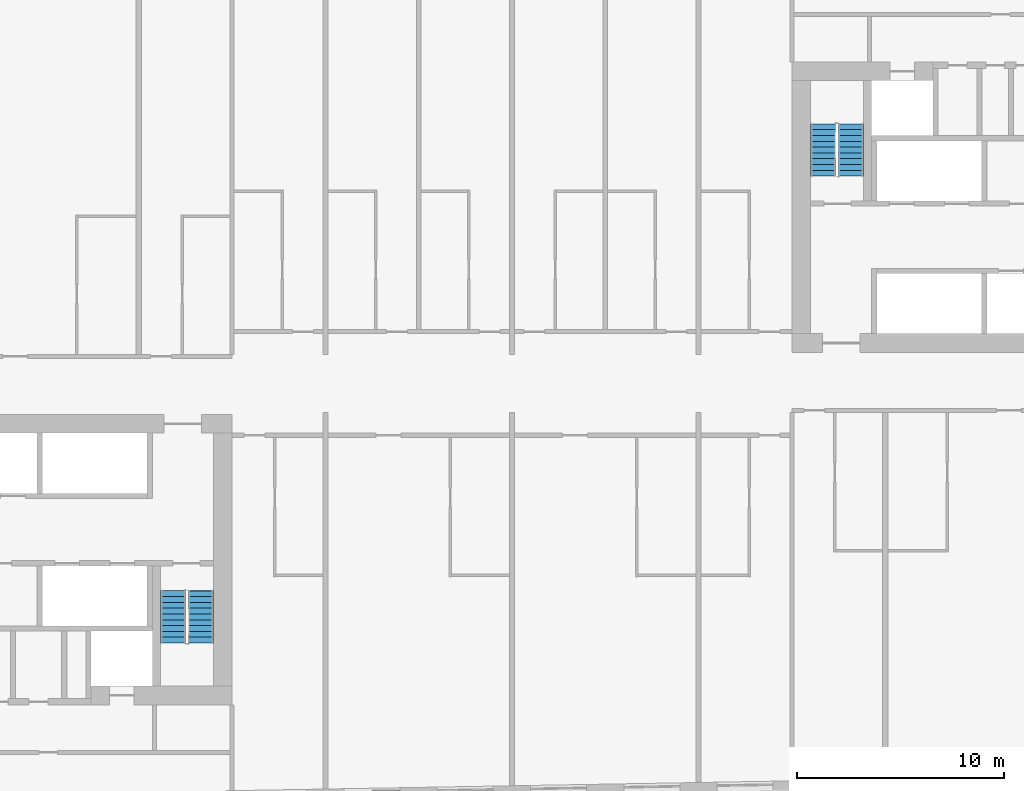
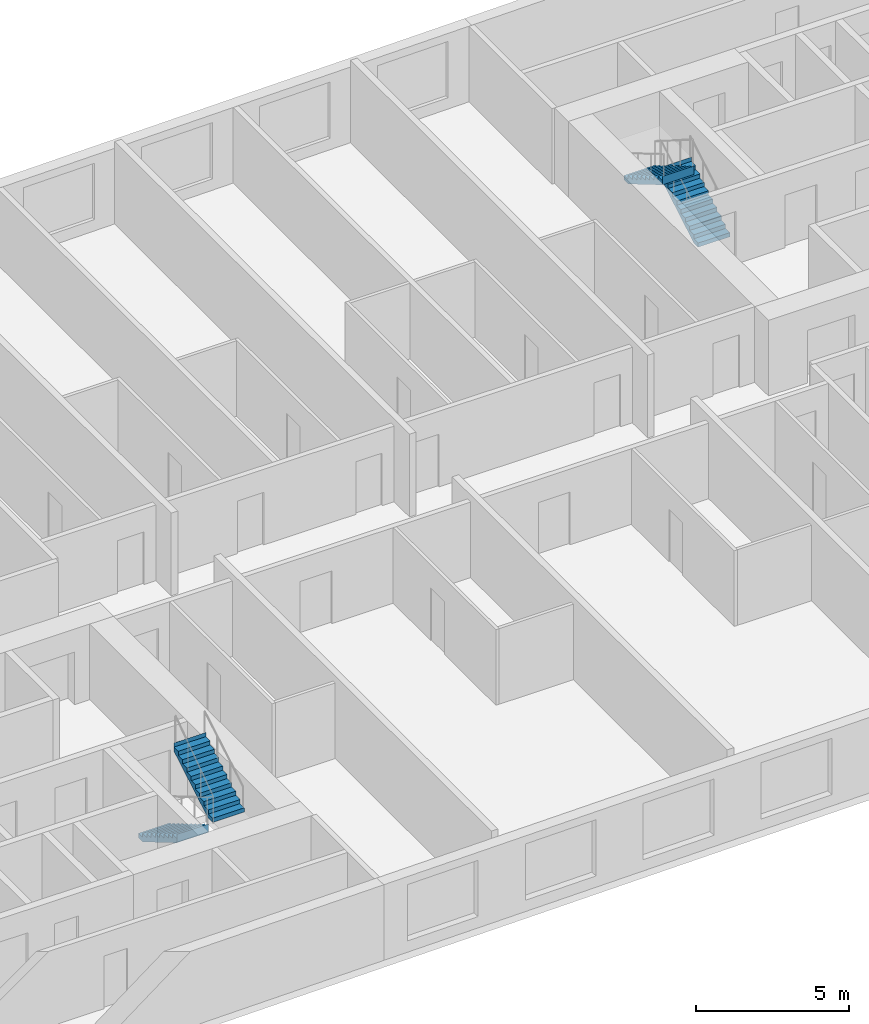
# One storey, part 9 of 11: 4 stair flights, 2 elements without a shape of their own.
"""IFC4 building model written with IfcOpenShell, lengths in metres."""

from ifc_helpers import new_model, si_unit, direction, frame, origin, place, context, subcontext, project, spatial, faceted_brep, material, type_object, element, aggregate, save


model = new_model("IFC4")

# Units and contexts
model_context = context("Model", 3, precision=1e-05, world=origin(), true_north=direction((0.0, 1.0)))
body_context = subcontext(model_context, "Body", "Model", "MODEL_VIEW")
ifc_project = project(units=[si_unit("LENGTHUNIT", "METRE"), si_unit("AREAUNIT", "SQUARE_METRE"), si_unit("VOLUMEUNIT", "CUBIC_METRE"), si_unit("PLANEANGLEUNIT", "RADIAN"), si_unit("MASSUNIT", "GRAM", prefix="KILO")], contexts=[model_context])

# Site, building, storey
site_placement = place(None, origin())
site = spatial("IfcSite", under=ifc_project, at=site_placement, CompositionType="ELEMENT")
building_placement = place(site_placement, origin())
building = spatial("IfcBuilding", under=site, at=building_placement, Name="Kajstack Hotel Tower", CompositionType="ELEMENT")
storey_placement = place(building_placement, frame((0.0, 0.0, 224.300048828125)))
storey = spatial("IfcBuildingStorey", under=building, at=storey_placement, Name="L54", CompositionType="ELEMENT", Elevation=224.300048828125)

# Stair, stair flights
ifc_material = material(Name="Concrete C40/50", Category="concrete")
stair_type = type_object("IfcStairType", Name="Exit stair 1200", PredefinedType="HALF_TURN_STAIR", material=ifc_material)
stair_1_placement = place(storey_placement, origin())
stair_1 = element("IfcStair", 1, at=stair_1_placement, inside=storey, type_object=stair_type, Name="L54 stair W2", PredefinedType="HALF_TURN_STAIR")
stair_flight_type = type_object("IfcStairFlightType", Name="Exit stair flight 1200", PredefinedType="STRAIGHT", material=ifc_material)
stair_flight_1_placement = place(storey_placement, frame((-16.35009765625, -10.0, 0.0), z_axis=(0.0, 0.0, 1.0), x_axis=(0.0, -1.0, 0.0)))
stair_flight_1 = element("IfcStairFlight", 2, at=stair_flight_1_placement, type_object=stair_flight_type, Name="W2 flight 1", NumberOfRisers=10, NumberOfTreads=9, PredefinedType="STRAIGHT", RiserHeight=0.165, TreadLength=0.28, context=body_context, shape_type="Brep", body=[
    faceted_brep([(0.295654296875, -0.60009765625, 0.0), (2.5205078125, -0.60009765625, 1.31103515625), (2.5205078125, -0.60009765625, 1.64990234375), (2.52001953125, -0.60009765625, 1.64990234375), (2.52001953125, -0.60009765625, 1.485107421875), (2.239990234375, -0.60009765625, 1.485107421875), (2.239990234375, -0.60009765625, 1.320068359375), (1.9599609375, -0.60009765625, 1.320068359375), (1.9599609375, -0.60009765625, 1.155029296875), (1.679931640625, -0.60009765625, 1.155029296875), (1.679931640625, -0.60009765625, 0.989990234375), (1.39990234375, -0.60009765625, 0.989990234375), (1.39990234375, -0.60009765625, 0.824951171875), (1.1201171875, -0.60009765625, 0.824951171875), (1.1201171875, -0.60009765625, 0.659912109375), (0.840087890625, -0.60009765625, 0.659912109375), (0.840087890625, -0.60009765625, 0.4951171875), (0.56005859375, -0.60009765625, 0.4951171875), (0.56005859375, -0.60009765625, 0.330078125), (0.280029296875, -0.60009765625, 0.330078125), (0.280029296875, -0.60009765625, 0.1650390625), (-0.00048828125, -0.60009765625, 0.1650390625), (-0.00048828125, -0.60009765625, 0.0), (-0.00048828125, 0.60009765625, 0.0), (-0.00048828125, 0.60009765625, 0.1650390625), (0.280029296875, 0.60009765625, 0.1650390625), (0.280029296875, 0.60009765625, 0.330078125), (0.56005859375, 0.60009765625, 0.330078125), (0.56005859375, 0.60009765625, 0.4951171875), (0.840087890625, 0.60009765625, 0.4951171875), (0.840087890625, 0.60009765625, 0.659912109375), (1.1201171875, 0.60009765625, 0.659912109375), (1.1201171875, 0.60009765625, 0.824951171875), (1.39990234375, 0.60009765625, 0.824951171875), (1.39990234375, 0.60009765625, 0.989990234375), (1.679931640625, 0.60009765625, 0.989990234375), (1.679931640625, 0.60009765625, 1.155029296875), (1.9599609375, 0.60009765625, 1.155029296875), (1.9599609375, 0.60009765625, 1.320068359375), (2.239990234375, 0.60009765625, 1.320068359375), (2.239990234375, 0.60009765625, 1.485107421875), (2.52001953125, 0.60009765625, 1.485107421875), (2.52001953125, 0.60009765625, 1.64990234375), (2.5205078125, 0.60009765625, 1.64990234375), (2.5205078125, 0.60009765625, 1.31103515625), (0.295654296875, 0.60009765625, 0.0), (-0.00048828125, -0.300048828125, 0.1650390625), (-0.00048828125, 0.0, 0.1650390625), (-0.00048828125, 0.300048828125, 0.1650390625), (-0.00048828125, 0.300048828125, 0.0), (-0.00048828125, 0.0, 0.0), (-0.00048828125, -0.300048828125, 0.0), (0.280029296875, -0.300048828125, 0.1650390625), (0.280029296875, 0.0, 0.1650390625), (0.280029296875, 0.300048828125, 0.1650390625), (0.280029296875, -0.300048828125, 0.330078125), (0.280029296875, 0.0, 0.330078125), (0.280029296875, 0.300048828125, 0.330078125), (0.56005859375, -0.300048828125, 0.330078125), (0.56005859375, 0.0, 0.330078125), (0.56005859375, 0.300048828125, 0.330078125), (0.56005859375, -0.300048828125, 0.4951171875), (0.56005859375, 0.0, 0.4951171875), (0.56005859375, 0.300048828125, 0.4951171875), (0.840087890625, -0.300048828125, 0.4951171875), (0.840087890625, 0.0, 0.4951171875), (0.840087890625, 0.300048828125, 0.4951171875), (0.840087890625, -0.300048828125, 0.659912109375), (0.840087890625, 0.0, 0.659912109375), (0.840087890625, 0.300048828125, 0.659912109375), (1.1201171875, -0.300048828125, 0.659912109375), (1.1201171875, 0.0, 0.659912109375), (1.1201171875, 0.300048828125, 0.659912109375), (1.1201171875, -0.300048828125, 0.824951171875), (1.1201171875, 0.0, 0.824951171875), (1.1201171875, 0.300048828125, 0.824951171875), (1.39990234375, -0.300048828125, 0.824951171875), (1.39990234375, 0.0, 0.824951171875), (1.39990234375, 0.300048828125, 0.824951171875), (1.39990234375, -0.300048828125, 0.989990234375), (1.39990234375, 0.0, 0.989990234375), (1.39990234375, 0.300048828125, 0.989990234375), (1.679931640625, -0.300048828125, 0.989990234375), (1.679931640625, 0.0, 0.989990234375), (1.679931640625, 0.300048828125, 0.989990234375), (1.679931640625, -0.300048828125, 1.155029296875), (1.679931640625, 0.0, 1.155029296875), (1.679931640625, 0.300048828125, 1.155029296875), (1.9599609375, -0.300048828125, 1.155029296875), (1.9599609375, 0.0, 1.155029296875), (1.9599609375, 0.300048828125, 1.155029296875), (1.9599609375, -0.300048828125, 1.320068359375), (1.9599609375, 0.0, 1.320068359375), (1.9599609375, 0.300048828125, 1.320068359375), (2.239990234375, -0.300048828125, 1.320068359375), (2.239990234375, 0.0, 1.320068359375), (2.239990234375, 0.300048828125, 1.320068359375), (2.239990234375, -0.300048828125, 1.485107421875), (2.239990234375, 0.0, 1.485107421875), (2.239990234375, 0.300048828125, 1.485107421875), (2.52001953125, -0.300048828125, 1.485107421875), (2.52001953125, 0.0, 1.485107421875), (2.52001953125, 0.300048828125, 1.485107421875), (2.52001953125, -0.300048828125, 1.64990234375), (2.52001953125, 0.0, 1.64990234375), (2.52001953125, 0.300048828125, 1.64990234375), (2.5205078125, -0.300048828125, 1.64990234375), (2.5205078125, 0.0, 1.64990234375), (2.5205078125, 0.300048828125, 1.64990234375), (2.5205078125, -0.300048828125, 1.31103515625), (2.5205078125, 0.0, 1.31103515625), (2.5205078125, 0.300048828125, 1.31103515625), (0.295654296875, -0.300048828125, 0.0), (0.295654296875, 0.0, 0.0), (0.295654296875, 0.300048828125, 0.0)], [[[0, 1, 2, 3, 4, 5, 6, 7, 8, 9, 10, 11, 12, 13, 14, 15, 16, 17, 18, 19, 20, 21, 22]], [[23, 24, 25, 26, 27, 28, 29, 30, 31, 32, 33, 34, 35, 36, 37, 38, 39, 40, 41, 42, 43, 44, 45]], [[21, 46, 47, 48, 24, 23, 49, 50, 51, 22]], [[20, 52, 53, 54, 25, 24, 48, 47, 46, 21]], [[19, 55, 56, 57, 26, 25, 54, 53, 52, 20]], [[18, 58, 59, 60, 27, 26, 57, 56, 55, 19]], [[17, 61, 62, 63, 28, 27, 60, 59, 58, 18]], [[16, 64, 65, 66, 29, 28, 63, 62, 61, 17]], [[15, 67, 68, 69, 30, 29, 66, 65, 64, 16]], [[14, 70, 71, 72, 31, 30, 69, 68, 67, 15]], [[13, 73, 74, 75, 32, 31, 72, 71, 70, 14]], [[12, 76, 77, 78, 33, 32, 75, 74, 73, 13]], [[11, 79, 80, 81, 34, 33, 78, 77, 76, 12]], [[10, 82, 83, 84, 35, 34, 81, 80, 79, 11]], [[9, 85, 86, 87, 36, 35, 84, 83, 82, 10]], [[8, 88, 89, 90, 37, 36, 87, 86, 85, 9]], [[7, 91, 92, 93, 38, 37, 90, 89, 88, 8]], [[6, 94, 95, 96, 39, 38, 93, 92, 91, 7]], [[5, 97, 98, 99, 40, 39, 96, 95, 94, 6]], [[4, 100, 101, 102, 41, 40, 99, 98, 97, 5]], [[3, 103, 104, 105, 42, 41, 102, 101, 100, 4]], [[2, 106, 107, 108, 43, 42, 105, 104, 103, 3]], [[1, 109, 110, 111, 44, 43, 108, 107, 106, 2]], [[0, 112, 113, 114, 45, 44, 111, 110, 109, 1]], [[22, 51, 50, 49, 23, 45, 114, 113, 112, 0]]]),
])
stair_flight_2_placement = place(storey_placement, frame((-15.0, -12.52001953125, 1.64990234375), z_axis=(0.0, 0.0, 1.0), x_axis=(0.0, 1.0, 0.0)))
stair_flight_2 = element("IfcStairFlight", 3, at=stair_flight_2_placement, type_object=stair_flight_type, Name="W2 flight 2", NumberOfRisers=10, NumberOfTreads=9, PredefinedType="STRAIGHT", RiserHeight=0.165, TreadLength=0.28, context=body_context, shape_type="Brep", body=[
    faceted_brep([(0.295654296875, -0.60009765625, 0.0), (2.5205078125, -0.60009765625, 1.31103515625), (2.5205078125, -0.60009765625, 1.64990234375), (2.52001953125, -0.60009765625, 1.64990234375), (2.52001953125, -0.60009765625, 1.485107421875), (2.239990234375, -0.60009765625, 1.485107421875), (2.239990234375, -0.60009765625, 1.320068359375), (1.9599609375, -0.60009765625, 1.320068359375), (1.9599609375, -0.60009765625, 1.155029296875), (1.679931640625, -0.60009765625, 1.155029296875), (1.679931640625, -0.60009765625, 0.989990234375), (1.39990234375, -0.60009765625, 0.989990234375), (1.39990234375, -0.60009765625, 0.824951171875), (1.1201171875, -0.60009765625, 0.824951171875), (1.1201171875, -0.60009765625, 0.659912109375), (0.840087890625, -0.60009765625, 0.659912109375), (0.840087890625, -0.60009765625, 0.4951171875), (0.56005859375, -0.60009765625, 0.4951171875), (0.56005859375, -0.60009765625, 0.330078125), (0.280029296875, -0.60009765625, 0.330078125), (0.280029296875, -0.60009765625, 0.1650390625), (-0.00048828125, -0.60009765625, 0.1650390625), (-0.00048828125, -0.60009765625, 0.0), (-0.00048828125, 0.60009765625, 0.0), (-0.00048828125, 0.60009765625, 0.1650390625), (0.280029296875, 0.60009765625, 0.1650390625), (0.280029296875, 0.60009765625, 0.330078125), (0.56005859375, 0.60009765625, 0.330078125), (0.56005859375, 0.60009765625, 0.4951171875), (0.840087890625, 0.60009765625, 0.4951171875), (0.840087890625, 0.60009765625, 0.659912109375), (1.1201171875, 0.60009765625, 0.659912109375), (1.1201171875, 0.60009765625, 0.824951171875), (1.39990234375, 0.60009765625, 0.824951171875), (1.39990234375, 0.60009765625, 0.989990234375), (1.679931640625, 0.60009765625, 0.989990234375), (1.679931640625, 0.60009765625, 1.155029296875), (1.9599609375, 0.60009765625, 1.155029296875), (1.9599609375, 0.60009765625, 1.320068359375), (2.239990234375, 0.60009765625, 1.320068359375), (2.239990234375, 0.60009765625, 1.485107421875), (2.52001953125, 0.60009765625, 1.485107421875), (2.52001953125, 0.60009765625, 1.64990234375), (2.5205078125, 0.60009765625, 1.64990234375), (2.5205078125, 0.60009765625, 1.31103515625), (0.295654296875, 0.60009765625, 0.0), (-0.00048828125, -0.300048828125, 0.1650390625), (-0.00048828125, 0.0, 0.1650390625), (-0.00048828125, 0.300048828125, 0.1650390625), (-0.00048828125, 0.300048828125, 0.0), (-0.00048828125, 0.0, 0.0), (-0.00048828125, -0.300048828125, 0.0), (0.280029296875, -0.300048828125, 0.1650390625), (0.280029296875, 0.0, 0.1650390625), (0.280029296875, 0.300048828125, 0.1650390625), (0.280029296875, -0.300048828125, 0.330078125), (0.280029296875, 0.0, 0.330078125), (0.280029296875, 0.300048828125, 0.330078125), (0.56005859375, -0.300048828125, 0.330078125), (0.56005859375, 0.0, 0.330078125), (0.56005859375, 0.300048828125, 0.330078125), (0.56005859375, -0.300048828125, 0.4951171875), (0.56005859375, 0.0, 0.4951171875), (0.56005859375, 0.300048828125, 0.4951171875), (0.840087890625, -0.300048828125, 0.4951171875), (0.840087890625, 0.0, 0.4951171875), (0.840087890625, 0.300048828125, 0.4951171875), (0.840087890625, -0.300048828125, 0.659912109375), (0.840087890625, 0.0, 0.659912109375), (0.840087890625, 0.300048828125, 0.659912109375), (1.1201171875, -0.300048828125, 0.659912109375), (1.1201171875, 0.0, 0.659912109375), (1.1201171875, 0.300048828125, 0.659912109375), (1.1201171875, -0.300048828125, 0.824951171875), (1.1201171875, 0.0, 0.824951171875), (1.1201171875, 0.300048828125, 0.824951171875), (1.39990234375, -0.300048828125, 0.824951171875), (1.39990234375, 0.0, 0.824951171875), (1.39990234375, 0.300048828125, 0.824951171875), (1.39990234375, -0.300048828125, 0.989990234375), (1.39990234375, 0.0, 0.989990234375), (1.39990234375, 0.300048828125, 0.989990234375), (1.679931640625, -0.300048828125, 0.989990234375), (1.679931640625, 0.0, 0.989990234375), (1.679931640625, 0.300048828125, 0.989990234375), (1.679931640625, -0.300048828125, 1.155029296875), (1.679931640625, 0.0, 1.155029296875), (1.679931640625, 0.300048828125, 1.155029296875), (1.9599609375, -0.300048828125, 1.155029296875), (1.9599609375, 0.0, 1.155029296875), (1.9599609375, 0.300048828125, 1.155029296875), (1.9599609375, -0.300048828125, 1.320068359375), (1.9599609375, 0.0, 1.320068359375), (1.9599609375, 0.300048828125, 1.320068359375), (2.239990234375, -0.300048828125, 1.320068359375), (2.239990234375, 0.0, 1.320068359375), (2.239990234375, 0.300048828125, 1.320068359375), (2.239990234375, -0.300048828125, 1.485107421875), (2.239990234375, 0.0, 1.485107421875), (2.239990234375, 0.300048828125, 1.485107421875), (2.52001953125, -0.300048828125, 1.485107421875), (2.52001953125, 0.0, 1.485107421875), (2.52001953125, 0.300048828125, 1.485107421875), (2.52001953125, -0.300048828125, 1.64990234375), (2.52001953125, 0.0, 1.64990234375), (2.52001953125, 0.300048828125, 1.64990234375), (2.5205078125, -0.300048828125, 1.64990234375), (2.5205078125, 0.0, 1.64990234375), (2.5205078125, 0.300048828125, 1.64990234375), (2.5205078125, -0.300048828125, 1.31103515625), (2.5205078125, 0.0, 1.31103515625), (2.5205078125, 0.300048828125, 1.31103515625), (0.295654296875, -0.300048828125, 0.0), (0.295654296875, 0.0, 0.0), (0.295654296875, 0.300048828125, 0.0)], [[[0, 1, 2, 3, 4, 5, 6, 7, 8, 9, 10, 11, 12, 13, 14, 15, 16, 17, 18, 19, 20, 21, 22]], [[23, 24, 25, 26, 27, 28, 29, 30, 31, 32, 33, 34, 35, 36, 37, 38, 39, 40, 41, 42, 43, 44, 45]], [[21, 46, 47, 48, 24, 23, 49, 50, 51, 22]], [[20, 52, 53, 54, 25, 24, 48, 47, 46, 21]], [[19, 55, 56, 57, 26, 25, 54, 53, 52, 20]], [[18, 58, 59, 60, 27, 26, 57, 56, 55, 19]], [[17, 61, 62, 63, 28, 27, 60, 59, 58, 18]], [[16, 64, 65, 66, 29, 28, 63, 62, 61, 17]], [[15, 67, 68, 69, 30, 29, 66, 65, 64, 16]], [[14, 70, 71, 72, 31, 30, 69, 68, 67, 15]], [[13, 73, 74, 75, 32, 31, 72, 71, 70, 14]], [[12, 76, 77, 78, 33, 32, 75, 74, 73, 13]], [[11, 79, 80, 81, 34, 33, 78, 77, 76, 12]], [[10, 82, 83, 84, 35, 34, 81, 80, 79, 11]], [[9, 85, 86, 87, 36, 35, 84, 83, 82, 10]], [[8, 88, 89, 90, 37, 36, 87, 86, 85, 9]], [[7, 91, 92, 93, 38, 37, 90, 89, 88, 8]], [[6, 94, 95, 96, 39, 38, 93, 92, 91, 7]], [[5, 97, 98, 99, 40, 39, 96, 95, 94, 6]], [[4, 100, 101, 102, 41, 40, 99, 98, 97, 5]], [[3, 103, 104, 105, 42, 41, 102, 101, 100, 4]], [[2, 106, 107, 108, 43, 42, 105, 104, 103, 3]], [[1, 109, 110, 111, 44, 43, 108, 107, 106, 2]], [[0, 112, 113, 114, 45, 44, 111, 110, 109, 1]], [[22, 51, 50, 49, 23, 45, 114, 113, 112, 0]]]),
])
aggregate(stair_1, [stair_flight_1, stair_flight_2])

stair_2_placement = place(storey_placement, origin())
stair_2 = element("IfcStair", 4, at=stair_2_placement, inside=storey, type_object=stair_type, Name="L54 stair E2", PredefinedType="HALF_TURN_STAIR")
stair_flight_3_placement = place(storey_placement, frame((16.35009765625, 10.0, 0.0), z_axis=(0.0, 0.0, 1.0), x_axis=(0.0, 1.0, 0.0)))
stair_flight_3 = element("IfcStairFlight", 5, at=stair_flight_3_placement, type_object=stair_flight_type, Name="E2 flight 1", NumberOfRisers=10, NumberOfTreads=9, PredefinedType="STRAIGHT", RiserHeight=0.165, TreadLength=0.28, context=body_context, shape_type="Brep", body=[
    faceted_brep([(0.295654296875, -0.60009765625, 0.0), (2.5205078125, -0.60009765625, 1.31103515625), (2.5205078125, -0.60009765625, 1.64990234375), (2.52001953125, -0.60009765625, 1.64990234375), (2.52001953125, -0.60009765625, 1.485107421875), (2.239990234375, -0.60009765625, 1.485107421875), (2.239990234375, -0.60009765625, 1.320068359375), (1.9599609375, -0.60009765625, 1.320068359375), (1.9599609375, -0.60009765625, 1.155029296875), (1.679931640625, -0.60009765625, 1.155029296875), (1.679931640625, -0.60009765625, 0.989990234375), (1.39990234375, -0.60009765625, 0.989990234375), (1.39990234375, -0.60009765625, 0.824951171875), (1.1201171875, -0.60009765625, 0.824951171875), (1.1201171875, -0.60009765625, 0.659912109375), (0.840087890625, -0.60009765625, 0.659912109375), (0.840087890625, -0.60009765625, 0.4951171875), (0.56005859375, -0.60009765625, 0.4951171875), (0.56005859375, -0.60009765625, 0.330078125), (0.280029296875, -0.60009765625, 0.330078125), (0.280029296875, -0.60009765625, 0.1650390625), (-0.00048828125, -0.60009765625, 0.1650390625), (-0.00048828125, -0.60009765625, 0.0), (-0.00048828125, 0.60009765625, 0.0), (-0.00048828125, 0.60009765625, 0.1650390625), (0.280029296875, 0.60009765625, 0.1650390625), (0.280029296875, 0.60009765625, 0.330078125), (0.56005859375, 0.60009765625, 0.330078125), (0.56005859375, 0.60009765625, 0.4951171875), (0.840087890625, 0.60009765625, 0.4951171875), (0.840087890625, 0.60009765625, 0.659912109375), (1.1201171875, 0.60009765625, 0.659912109375), (1.1201171875, 0.60009765625, 0.824951171875), (1.39990234375, 0.60009765625, 0.824951171875), (1.39990234375, 0.60009765625, 0.989990234375), (1.679931640625, 0.60009765625, 0.989990234375), (1.679931640625, 0.60009765625, 1.155029296875), (1.9599609375, 0.60009765625, 1.155029296875), (1.9599609375, 0.60009765625, 1.320068359375), (2.239990234375, 0.60009765625, 1.320068359375), (2.239990234375, 0.60009765625, 1.485107421875), (2.52001953125, 0.60009765625, 1.485107421875), (2.52001953125, 0.60009765625, 1.64990234375), (2.5205078125, 0.60009765625, 1.64990234375), (2.5205078125, 0.60009765625, 1.31103515625), (0.295654296875, 0.60009765625, 0.0), (-0.00048828125, -0.300048828125, 0.1650390625), (-0.00048828125, 0.0, 0.1650390625), (-0.00048828125, 0.300048828125, 0.1650390625), (-0.00048828125, 0.300048828125, 0.0), (-0.00048828125, 0.0, 0.0), (-0.00048828125, -0.300048828125, 0.0), (0.280029296875, -0.300048828125, 0.1650390625), (0.280029296875, 0.0, 0.1650390625), (0.280029296875, 0.300048828125, 0.1650390625), (0.280029296875, -0.300048828125, 0.330078125), (0.280029296875, 0.0, 0.330078125), (0.280029296875, 0.300048828125, 0.330078125), (0.56005859375, -0.300048828125, 0.330078125), (0.56005859375, 0.0, 0.330078125), (0.56005859375, 0.300048828125, 0.330078125), (0.56005859375, -0.300048828125, 0.4951171875), (0.56005859375, 0.0, 0.4951171875), (0.56005859375, 0.300048828125, 0.4951171875), (0.840087890625, -0.300048828125, 0.4951171875), (0.840087890625, 0.0, 0.4951171875), (0.840087890625, 0.300048828125, 0.4951171875), (0.840087890625, -0.300048828125, 0.659912109375), (0.840087890625, 0.0, 0.659912109375), (0.840087890625, 0.300048828125, 0.659912109375), (1.1201171875, -0.300048828125, 0.659912109375), (1.1201171875, 0.0, 0.659912109375), (1.1201171875, 0.300048828125, 0.659912109375), (1.1201171875, -0.300048828125, 0.824951171875), (1.1201171875, 0.0, 0.824951171875), (1.1201171875, 0.300048828125, 0.824951171875), (1.39990234375, -0.300048828125, 0.824951171875), (1.39990234375, 0.0, 0.824951171875), (1.39990234375, 0.300048828125, 0.824951171875), (1.39990234375, -0.300048828125, 0.989990234375), (1.39990234375, 0.0, 0.989990234375), (1.39990234375, 0.300048828125, 0.989990234375), (1.679931640625, -0.300048828125, 0.989990234375), (1.679931640625, 0.0, 0.989990234375), (1.679931640625, 0.300048828125, 0.989990234375), (1.679931640625, -0.300048828125, 1.155029296875), (1.679931640625, 0.0, 1.155029296875), (1.679931640625, 0.300048828125, 1.155029296875), (1.9599609375, -0.300048828125, 1.155029296875), (1.9599609375, 0.0, 1.155029296875), (1.9599609375, 0.300048828125, 1.155029296875), (1.9599609375, -0.300048828125, 1.320068359375), (1.9599609375, 0.0, 1.320068359375), (1.9599609375, 0.300048828125, 1.320068359375), (2.239990234375, -0.300048828125, 1.320068359375), (2.239990234375, 0.0, 1.320068359375), (2.239990234375, 0.300048828125, 1.320068359375), (2.239990234375, -0.300048828125, 1.485107421875), (2.239990234375, 0.0, 1.485107421875), (2.239990234375, 0.300048828125, 1.485107421875), (2.52001953125, -0.300048828125, 1.485107421875), (2.52001953125, 0.0, 1.485107421875), (2.52001953125, 0.300048828125, 1.485107421875), (2.52001953125, -0.300048828125, 1.64990234375), (2.52001953125, 0.0, 1.64990234375), (2.52001953125, 0.300048828125, 1.64990234375), (2.5205078125, -0.300048828125, 1.64990234375), (2.5205078125, 0.0, 1.64990234375), (2.5205078125, 0.300048828125, 1.64990234375), (2.5205078125, -0.300048828125, 1.31103515625), (2.5205078125, 0.0, 1.31103515625), (2.5205078125, 0.300048828125, 1.31103515625), (0.295654296875, -0.300048828125, 0.0), (0.295654296875, 0.0, 0.0), (0.295654296875, 0.300048828125, 0.0)], [[[0, 1, 2, 3, 4, 5, 6, 7, 8, 9, 10, 11, 12, 13, 14, 15, 16, 17, 18, 19, 20, 21, 22]], [[23, 24, 25, 26, 27, 28, 29, 30, 31, 32, 33, 34, 35, 36, 37, 38, 39, 40, 41, 42, 43, 44, 45]], [[21, 46, 47, 48, 24, 23, 49, 50, 51, 22]], [[20, 52, 53, 54, 25, 24, 48, 47, 46, 21]], [[19, 55, 56, 57, 26, 25, 54, 53, 52, 20]], [[18, 58, 59, 60, 27, 26, 57, 56, 55, 19]], [[17, 61, 62, 63, 28, 27, 60, 59, 58, 18]], [[16, 64, 65, 66, 29, 28, 63, 62, 61, 17]], [[15, 67, 68, 69, 30, 29, 66, 65, 64, 16]], [[14, 70, 71, 72, 31, 30, 69, 68, 67, 15]], [[13, 73, 74, 75, 32, 31, 72, 71, 70, 14]], [[12, 76, 77, 78, 33, 32, 75, 74, 73, 13]], [[11, 79, 80, 81, 34, 33, 78, 77, 76, 12]], [[10, 82, 83, 84, 35, 34, 81, 80, 79, 11]], [[9, 85, 86, 87, 36, 35, 84, 83, 82, 10]], [[8, 88, 89, 90, 37, 36, 87, 86, 85, 9]], [[7, 91, 92, 93, 38, 37, 90, 89, 88, 8]], [[6, 94, 95, 96, 39, 38, 93, 92, 91, 7]], [[5, 97, 98, 99, 40, 39, 96, 95, 94, 6]], [[4, 100, 101, 102, 41, 40, 99, 98, 97, 5]], [[3, 103, 104, 105, 42, 41, 102, 101, 100, 4]], [[2, 106, 107, 108, 43, 42, 105, 104, 103, 3]], [[1, 109, 110, 111, 44, 43, 108, 107, 106, 2]], [[0, 112, 113, 114, 45, 44, 111, 110, 109, 1]], [[22, 51, 50, 49, 23, 45, 114, 113, 112, 0]]]),
])
stair_flight_4_placement = place(storey_placement, frame((15.0, 12.52001953125, 1.64990234375), z_axis=(0.0, 0.0, 1.0), x_axis=(0.0, -1.0, 0.0)))
stair_flight_4 = element("IfcStairFlight", 6, at=stair_flight_4_placement, type_object=stair_flight_type, Name="E2 flight 2", NumberOfRisers=10, NumberOfTreads=9, PredefinedType="STRAIGHT", RiserHeight=0.165, TreadLength=0.28, context=body_context, shape_type="Brep", body=[
    faceted_brep([(0.295654296875, -0.60009765625, 0.0), (2.5205078125, -0.60009765625, 1.31103515625), (2.5205078125, -0.60009765625, 1.64990234375), (2.52001953125, -0.60009765625, 1.64990234375), (2.52001953125, -0.60009765625, 1.485107421875), (2.239990234375, -0.60009765625, 1.485107421875), (2.239990234375, -0.60009765625, 1.320068359375), (1.9599609375, -0.60009765625, 1.320068359375), (1.9599609375, -0.60009765625, 1.155029296875), (1.679931640625, -0.60009765625, 1.155029296875), (1.679931640625, -0.60009765625, 0.989990234375), (1.39990234375, -0.60009765625, 0.989990234375), (1.39990234375, -0.60009765625, 0.824951171875), (1.1201171875, -0.60009765625, 0.824951171875), (1.1201171875, -0.60009765625, 0.659912109375), (0.840087890625, -0.60009765625, 0.659912109375), (0.840087890625, -0.60009765625, 0.4951171875), (0.56005859375, -0.60009765625, 0.4951171875), (0.56005859375, -0.60009765625, 0.330078125), (0.280029296875, -0.60009765625, 0.330078125), (0.280029296875, -0.60009765625, 0.1650390625), (-0.00048828125, -0.60009765625, 0.1650390625), (-0.00048828125, -0.60009765625, 0.0), (-0.00048828125, 0.60009765625, 0.0), (-0.00048828125, 0.60009765625, 0.1650390625), (0.280029296875, 0.60009765625, 0.1650390625), (0.280029296875, 0.60009765625, 0.330078125), (0.56005859375, 0.60009765625, 0.330078125), (0.56005859375, 0.60009765625, 0.4951171875), (0.840087890625, 0.60009765625, 0.4951171875), (0.840087890625, 0.60009765625, 0.659912109375), (1.1201171875, 0.60009765625, 0.659912109375), (1.1201171875, 0.60009765625, 0.824951171875), (1.39990234375, 0.60009765625, 0.824951171875), (1.39990234375, 0.60009765625, 0.989990234375), (1.679931640625, 0.60009765625, 0.989990234375), (1.679931640625, 0.60009765625, 1.155029296875), (1.9599609375, 0.60009765625, 1.155029296875), (1.9599609375, 0.60009765625, 1.320068359375), (2.239990234375, 0.60009765625, 1.320068359375), (2.239990234375, 0.60009765625, 1.485107421875), (2.52001953125, 0.60009765625, 1.485107421875), (2.52001953125, 0.60009765625, 1.64990234375), (2.5205078125, 0.60009765625, 1.64990234375), (2.5205078125, 0.60009765625, 1.31103515625), (0.295654296875, 0.60009765625, 0.0), (-0.00048828125, -0.300048828125, 0.1650390625), (-0.00048828125, 0.0, 0.1650390625), (-0.00048828125, 0.300048828125, 0.1650390625), (-0.00048828125, 0.300048828125, 0.0), (-0.00048828125, 0.0, 0.0), (-0.00048828125, -0.300048828125, 0.0), (0.280029296875, -0.300048828125, 0.1650390625), (0.280029296875, 0.0, 0.1650390625), (0.280029296875, 0.300048828125, 0.1650390625), (0.280029296875, -0.300048828125, 0.330078125), (0.280029296875, 0.0, 0.330078125), (0.280029296875, 0.300048828125, 0.330078125), (0.56005859375, -0.300048828125, 0.330078125), (0.56005859375, 0.0, 0.330078125), (0.56005859375, 0.300048828125, 0.330078125), (0.56005859375, -0.300048828125, 0.4951171875), (0.56005859375, 0.0, 0.4951171875), (0.56005859375, 0.300048828125, 0.4951171875), (0.840087890625, -0.300048828125, 0.4951171875), (0.840087890625, 0.0, 0.4951171875), (0.840087890625, 0.300048828125, 0.4951171875), (0.840087890625, -0.300048828125, 0.659912109375), (0.840087890625, 0.0, 0.659912109375), (0.840087890625, 0.300048828125, 0.659912109375), (1.1201171875, -0.300048828125, 0.659912109375), (1.1201171875, 0.0, 0.659912109375), (1.1201171875, 0.300048828125, 0.659912109375), (1.1201171875, -0.300048828125, 0.824951171875), (1.1201171875, 0.0, 0.824951171875), (1.1201171875, 0.300048828125, 0.824951171875), (1.39990234375, -0.300048828125, 0.824951171875), (1.39990234375, 0.0, 0.824951171875), (1.39990234375, 0.300048828125, 0.824951171875), (1.39990234375, -0.300048828125, 0.989990234375), (1.39990234375, 0.0, 0.989990234375), (1.39990234375, 0.300048828125, 0.989990234375), (1.679931640625, -0.300048828125, 0.989990234375), (1.679931640625, 0.0, 0.989990234375), (1.679931640625, 0.300048828125, 0.989990234375), (1.679931640625, -0.300048828125, 1.155029296875), (1.679931640625, 0.0, 1.155029296875), (1.679931640625, 0.300048828125, 1.155029296875), (1.9599609375, -0.300048828125, 1.155029296875), (1.9599609375, 0.0, 1.155029296875), (1.9599609375, 0.300048828125, 1.155029296875), (1.9599609375, -0.300048828125, 1.320068359375), (1.9599609375, 0.0, 1.320068359375), (1.9599609375, 0.300048828125, 1.320068359375), (2.239990234375, -0.300048828125, 1.320068359375), (2.239990234375, 0.0, 1.320068359375), (2.239990234375, 0.300048828125, 1.320068359375), (2.239990234375, -0.300048828125, 1.485107421875), (2.239990234375, 0.0, 1.485107421875), (2.239990234375, 0.300048828125, 1.485107421875), (2.52001953125, -0.300048828125, 1.485107421875), (2.52001953125, 0.0, 1.485107421875), (2.52001953125, 0.300048828125, 1.485107421875), (2.52001953125, -0.300048828125, 1.64990234375), (2.52001953125, 0.0, 1.64990234375), (2.52001953125, 0.300048828125, 1.64990234375), (2.5205078125, -0.300048828125, 1.64990234375), (2.5205078125, 0.0, 1.64990234375), (2.5205078125, 0.300048828125, 1.64990234375), (2.5205078125, -0.300048828125, 1.31103515625), (2.5205078125, 0.0, 1.31103515625), (2.5205078125, 0.300048828125, 1.31103515625), (0.295654296875, -0.300048828125, 0.0), (0.295654296875, 0.0, 0.0), (0.295654296875, 0.300048828125, 0.0)], [[[0, 1, 2, 3, 4, 5, 6, 7, 8, 9, 10, 11, 12, 13, 14, 15, 16, 17, 18, 19, 20, 21, 22]], [[23, 24, 25, 26, 27, 28, 29, 30, 31, 32, 33, 34, 35, 36, 37, 38, 39, 40, 41, 42, 43, 44, 45]], [[21, 46, 47, 48, 24, 23, 49, 50, 51, 22]], [[20, 52, 53, 54, 25, 24, 48, 47, 46, 21]], [[19, 55, 56, 57, 26, 25, 54, 53, 52, 20]], [[18, 58, 59, 60, 27, 26, 57, 56, 55, 19]], [[17, 61, 62, 63, 28, 27, 60, 59, 58, 18]], [[16, 64, 65, 66, 29, 28, 63, 62, 61, 17]], [[15, 67, 68, 69, 30, 29, 66, 65, 64, 16]], [[14, 70, 71, 72, 31, 30, 69, 68, 67, 15]], [[13, 73, 74, 75, 32, 31, 72, 71, 70, 14]], [[12, 76, 77, 78, 33, 32, 75, 74, 73, 13]], [[11, 79, 80, 81, 34, 33, 78, 77, 76, 12]], [[10, 82, 83, 84, 35, 34, 81, 80, 79, 11]], [[9, 85, 86, 87, 36, 35, 84, 83, 82, 10]], [[8, 88, 89, 90, 37, 36, 87, 86, 85, 9]], [[7, 91, 92, 93, 38, 37, 90, 89, 88, 8]], [[6, 94, 95, 96, 39, 38, 93, 92, 91, 7]], [[5, 97, 98, 99, 40, 39, 96, 95, 94, 6]], [[4, 100, 101, 102, 41, 40, 99, 98, 97, 5]], [[3, 103, 104, 105, 42, 41, 102, 101, 100, 4]], [[2, 106, 107, 108, 43, 42, 105, 104, 103, 3]], [[1, 109, 110, 111, 44, 43, 108, 107, 106, 2]], [[0, 112, 113, 114, 45, 44, 111, 110, 109, 1]], [[22, 51, 50, 49, 23, 45, 114, 113, 112, 0]]]),
])
aggregate(stair_2, [stair_flight_3, stair_flight_4])

save(model, "model.ifc")
